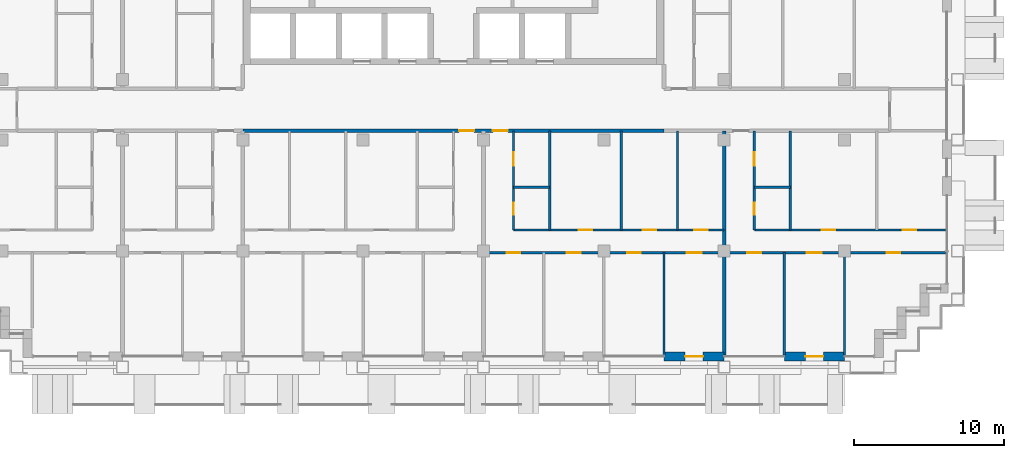
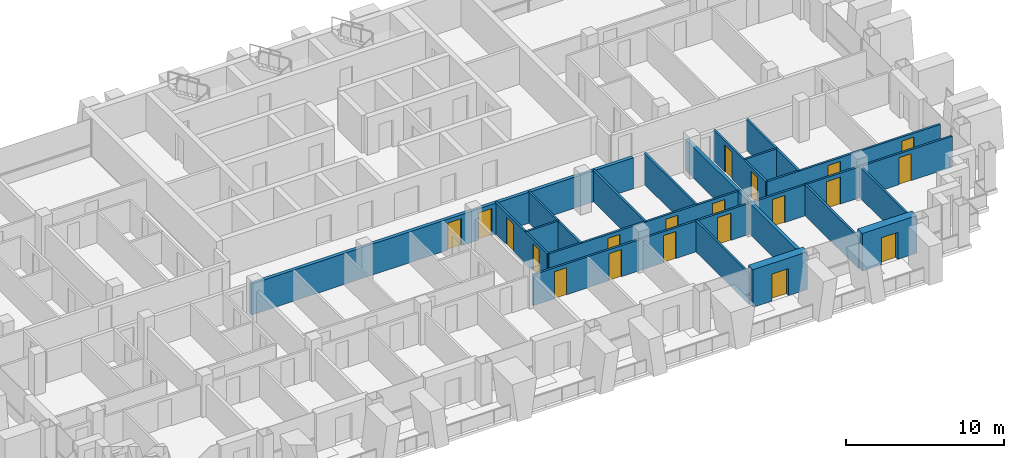
# One storey, part 10 of 17: 20 doors, 19 walls, 20 openings.
"""IFC4 building model written with IfcOpenShell, lengths in metres."""

from ifc_helpers import new_model, si_unit, direction, frame, frame_2d, origin, place, context, subcontext, project, spatial, rectangle, extrude, material, layer, layer_set, type_object, element, fill, save


model = new_model("IFC4")

# Units and contexts
model_context = context("Model", 3, precision=1e-05, world=origin(), true_north=direction((0.0, 1.0)))
body_context = subcontext(model_context, "Body", "Model", "MODEL_VIEW")
ifc_project = project(units=[si_unit("LENGTHUNIT", "METRE"), si_unit("AREAUNIT", "SQUARE_METRE"), si_unit("VOLUMEUNIT", "CUBIC_METRE"), si_unit("PLANEANGLEUNIT", "RADIAN"), si_unit("MASSUNIT", "GRAM", prefix="KILO")], contexts=[model_context])

# Site, building, storey
site_placement = place(None, origin())
site = spatial("IfcSite", under=ifc_project, at=site_placement, CompositionType="ELEMENT")
building_placement = place(site_placement, origin())
building = spatial("IfcBuilding", under=site, at=building_placement, Name="Vidyagriha Tower", CompositionType="ELEMENT")
storey_placement = place(building_placement, frame((0.0, 0.0, 119.800048828125)))
storey = spatial("IfcBuildingStorey", under=building, at=storey_placement, Name="L30", CompositionType="ELEMENT", Elevation=119.800048828125)

# Wall, opening, door
ifc_material_1 = material(Name="Precast concrete C40/50 with brick facing", Category="concrete")
ifc_layer_1 = layer(ifc_material_1, 0.60009765625)
ifc_layer_set_1 = layer_set([ifc_layer_1], Name="Precast concrete C40/50 with brick facing")
wall_type_1 = type_object("IfcWallType", Name="Brick-faced precast wall 600", PredefinedType="STANDARD", material=ifc_layer_set_1)
wall_1_placement = place(storey_placement, frame((14.0, -16.39990234375, 0.0)))
wall_1 = element("IfcWall", 1, at=wall_1_placement, inside=storey, type_object=wall_type_1, Name="Brick door bay wall L30 R23.12", PredefinedType="STANDARD", context=body_context, shape_type="SweptSolid", body=[
    extrude(rectangle(XDim=4.0, YDim=0.60009765625, at=frame_2d((2.0, 0.0))), origin(), (0.0, 0.0, 1.0), 2.919921875),
])
opening_1_placement = place(wall_1_placement, frame((1.39990234375, 0.0, 0.0)))
opening_1 = element("IfcOpeningElement", 2, at=opening_1_placement, cuts=wall_1, Name="Opening D30-81", PredefinedType="OPENING", context=body_context, shape_type="SweptSolid", body=[
    extrude(rectangle(XDim=1.199951171875, YDim=2.10009765625, at=frame_2d((0.60009765625, 1.050048828125))), frame((0.0, 0.31005859375, 0.0), z_axis=(0.0, -1.0, 0.0), x_axis=(1.0, 0.0, 0.0)), (0.0, 0.0, 1.0), 0.6201171875),
])
ifc_material_2 = material(Name="Aluminium framed glazed sliding door", Category="aluminium")
door_type_1 = type_object("IfcDoorType", Name="Balcony sliding door 1200x2100", OperationType="NOTDEFINED", PredefinedType="DOOR", material=ifc_material_2)
door_1_placement = place(opening_1_placement, origin())
door_1 = element("IfcDoor", 3, at=door_1_placement, inside=storey, type_object=door_type_1, Name="Door D30-81", OperationType="SLIDING_TO_LEFT", OverallHeight=2.10009765625, OverallWidth=1.199951171875, PredefinedType="DOOR", context=body_context, shape_type="SweptSolid", body=[
    extrude(rectangle(XDim=1.199951171875, YDim=2.10009765625, at=frame_2d((0.60009765625, 1.050048828125))), frame((0.0, 0.02490234375, 0.0), z_axis=(0.0, -1.0, 0.0), x_axis=(1.0, 0.0, 0.0)), (0.0, 0.0, 1.0), 0.050048828125),
])
fill(opening_1, door_1)

wall_2_placement = place(storey_placement, frame((22.0, -16.39990234375, 0.0)))
wall_2 = element("IfcWall", 4, at=wall_2_placement, inside=storey, type_object=wall_type_1, Name="Brick door bay wall L30 R23.14", PredefinedType="STANDARD", context=body_context, shape_type="SweptSolid", body=[
    extrude(rectangle(XDim=4.0, YDim=0.60009765625, at=frame_2d((2.0, 0.0))), origin(), (0.0, 0.0, 1.0), 2.919921875),
])
opening_2_placement = place(wall_2_placement, frame((1.39990234375, 0.0, 0.0)))
opening_2 = element("IfcOpeningElement", 5, at=opening_2_placement, cuts=wall_2, Name="Opening D30-82", PredefinedType="OPENING", context=body_context, shape_type="SweptSolid", body=[
    extrude(rectangle(XDim=1.199951171875, YDim=2.10009765625, at=frame_2d((0.60009765625, 1.050048828125))), frame((0.0, 0.31005859375, 0.0), z_axis=(0.0, -1.0, 0.0), x_axis=(1.0, 0.0, 0.0)), (0.0, 0.0, 1.0), 0.6201171875),
])
door_2_placement = place(opening_2_placement, origin())
door_2 = element("IfcDoor", 6, at=door_2_placement, inside=storey, type_object=door_type_1, Name="Door D30-82", OperationType="SLIDING_TO_LEFT", OverallHeight=2.10009765625, OverallWidth=1.199951171875, PredefinedType="DOOR", context=body_context, shape_type="SweptSolid", body=[
    extrude(rectangle(XDim=1.199951171875, YDim=2.10009765625, at=frame_2d((0.60009765625, 1.050048828125))), frame((0.0, 0.02490234375, 0.0), z_axis=(0.0, -1.0, 0.0), x_axis=(1.0, 0.0, 0.0)), (0.0, 0.0, 1.0), 0.050048828125),
])
fill(opening_2, door_2)

# Wall, openings, doors
ifc_material_3 = material(Name="Fired clay brick masonry", Category="masonry")
ifc_layer_2 = layer(ifc_material_3, 0.25)
ifc_layer_set_2 = layer_set([ifc_layer_2], Name="Fired clay brick masonry")
wall_type_2 = type_object("IfcWallType", Name="Fired clay brick corridor wall 250", PredefinedType="PARTITIONING", material=ifc_layer_set_2)
wall_3_placement = place(storey_placement, frame((14.0, -1.39990234375, 0.0), z_axis=(0.0, 0.0, 1.0), x_axis=(-1.0, 0.0, 0.0)))
wall_3 = element("IfcWall", 7, at=wall_3_placement, inside=storey, type_object=wall_type_2, Name="Wall all-L30-w136", PredefinedType="PARTITIONING", context=body_context, shape_type="SweptSolid", body=[
    extrude(rectangle(XDim=28.0, YDim=0.25, at=frame_2d((14.0, 0.0))), origin(), (0.0, 0.0, 1.0), 2.39990234375),
])
opening_3_placement = place(wall_3_placement, frame((12.617919921875, 0.0, 0.0)))
opening_3 = element("IfcOpeningElement", 8, at=opening_3_placement, cuts=wall_3, Name="Opening D30-34", PredefinedType="OPENING", context=body_context, shape_type="SweptSolid", body=[
    extrude(rectangle(XDim=1.0, YDim=2.10009765625, at=frame_2d((0.5, 1.050048828125))), frame((0.0, 0.135009765625, 0.0), z_axis=(0.0, -1.0, 0.0), x_axis=(1.0, 0.0, 0.0)), (0.0, 0.0, 1.0), 0.27001953125),
])
opening_4_placement = place(wall_3_placement, frame((10.382080078125, 0.0, 0.0)))
opening_4 = element("IfcOpeningElement", 9, at=opening_4_placement, cuts=wall_3, Name="Opening D30-44", PredefinedType="OPENING", context=body_context, shape_type="SweptSolid", body=[
    extrude(rectangle(XDim=1.0, YDim=2.10009765625, at=frame_2d((0.5, 1.050048828125))), frame((0.0, 0.135009765625, 0.0), z_axis=(0.0, -1.0, 0.0), x_axis=(1.0, 0.0, 0.0)), (0.0, 0.0, 1.0), 0.27001953125),
])
ifc_material_4 = material(Name="Fire-rated timber door leaf EI 60", Category="wood")
door_type_2 = type_object("IfcDoorType", Name="Flat entrance fire door 1000x2100", OperationType="NOTDEFINED", PredefinedType="DOOR", material=ifc_material_4)
door_3_placement = place(opening_3_placement, origin())
door_3 = element("IfcDoor", 10, at=door_3_placement, inside=storey, type_object=door_type_2, Name="Door D30-34", OperationType="SINGLE_SWING_LEFT", OverallHeight=2.10009765625, OverallWidth=1.0, PredefinedType="DOOR", context=body_context, shape_type="SweptSolid", body=[
    extrude(rectangle(XDim=1.0, YDim=2.10009765625, at=frame_2d((0.5, 1.050048828125))), frame((0.0, 0.02490234375, 0.0), z_axis=(0.0, -1.0, 0.0), x_axis=(1.0, 0.0, 0.0)), (0.0, 0.0, 1.0), 0.050048828125),
])
fill(opening_3, door_3)
door_4_placement = place(opening_4_placement, origin())
door_4 = element("IfcDoor", 11, at=door_4_placement, inside=storey, type_object=door_type_2, Name="Door D30-44", OperationType="SINGLE_SWING_RIGHT", OverallHeight=2.10009765625, OverallWidth=1.0, PredefinedType="DOOR", context=body_context, shape_type="SweptSolid", body=[
    extrude(rectangle(XDim=1.0, YDim=2.10009765625, at=frame_2d((0.5, 1.050048828125))), frame((0.0, 0.02490234375, 0.0), z_axis=(0.0, -1.0, 0.0), x_axis=(1.0, 0.0, 0.0)), (0.0, 0.0, 1.0), 0.050048828125),
])
fill(opening_4, door_4)

# Walls
ifc_material_5 = material(Name="Fired clay brick masonry", Category="masonry")
ifc_layer_3 = layer(ifc_material_5, 0.25)
ifc_layer_set_3 = layer_set([ifc_layer_3], Name="Fired clay brick masonry")
wall_type_3 = type_object("IfcWallType", Name="Fired clay brick demising wall 250", PredefinedType="PARTITIONING", material=ifc_layer_set_3)
wall_4_placement = place(storey_placement, frame((18.0, -1.39990234375, 0.0), z_axis=(0.0, 0.0, 1.0), x_axis=(0.0, -1.0, 0.0)))
element("IfcWall", 12, at=wall_4_placement, inside=storey, type_object=wall_type_3, Name="Wall all-L30-w084", PredefinedType="PARTITIONING", context=body_context, shape_type="SweptSolid", body=[
    extrude(rectangle(XDim=14.91015625, YDim=0.25, at=frame_2d((7.455078125, 0.0))), origin(), (0.0, 0.0, 1.0), 2.39990234375),
])
ifc_material_6 = material(Name="Gypsum board partition")
ifc_layer_4 = layer(ifc_material_6, 0.14990234375)
ifc_layer_set_4 = layer_set([ifc_layer_4], Name="Gypsum board partition")
wall_type_4 = type_object("IfcWallType", Name="Gypsum board partition 150", PredefinedType="PARTITIONING", material=ifc_layer_set_4)
wall_5_placement = place(storey_placement, frame((6.39990234375, -5.14990234375, 0.0), z_axis=(0.0, 0.0, 1.0), x_axis=(-1.0, 0.0, 0.0)))
element("IfcWall", 13, at=wall_5_placement, inside=storey, type_object=wall_type_4, Name="Wall all-L30-w050", PredefinedType="PARTITIONING", context=body_context, shape_type="SweptSolid", body=[
    extrude(rectangle(XDim=2.39990234375, YDim=0.14990234375, at=frame_2d((1.199951171875, 0.0))), origin(), (0.0, 0.0, 1.0), 2.39990234375),
])
for number, where, z_axis, x_axis, name in (
    (14, (6.39990234375, -1.39990234375, 0.0), (0.0, 0.0, 1.0), (0.0, -1.0, 0.0), "Wall all-L30-w051"),
    (15, (11.14990234375, -1.39990234375, 0.0), (0.0, 0.0, 1.0), (0.0, -1.0, 0.0), "Wall all-L30-w052"),
    (16, (14.89990234375, -1.39990234375, 0.0), (0.0, 0.0, 1.0), (0.0, -1.0, 0.0), "Wall all-L30-w053"),
):
    element("IfcWall", number, at=place(storey_placement, frame(where, z_axis=z_axis, x_axis=x_axis)), inside=storey, type_object=wall_type_4, Name=name, PredefinedType="PARTITIONING", context=body_context, shape_type="SweptSolid", body=[
        extrude(rectangle(XDim=6.60009765625, YDim=0.14990234375, at=frame_2d((3.300048828125, 0.0))), origin(), (0.0, 0.0, 1.0), 2.39990234375),
    ])

# Wall, openings, doors
wall_6_placement = place(storey_placement, frame((4.0, -8.0, 0.0)))
wall_6 = element("IfcWall", 17, at=wall_6_placement, inside=storey, type_object=wall_type_4, Name="Wall all-L30-w054", PredefinedType="PARTITIONING", context=body_context, shape_type="SweptSolid", body=[
    extrude(rectangle(XDim=14.0, YDim=0.14990234375, at=frame_2d((7.0, 0.0))), origin(), (0.0, 0.0, 1.0), 2.39990234375),
])
opening_5_placement = place(wall_6_placement, frame((4.324951171875, 0.0, 0.0)))
opening_5 = element("IfcOpeningElement", 18, at=opening_5_placement, cuts=wall_6, Name="Opening D30-37", PredefinedType="OPENING", context=body_context, shape_type="SweptSolid", body=[
    extrude(rectangle(XDim=0.89990234375, YDim=2.10009765625, at=frame_2d((0.449951171875, 1.050048828125))), frame((0.0, 0.0849609375, 0.0), z_axis=(0.0, -1.0, 0.0), x_axis=(1.0, 0.0, 0.0)), (0.0, 0.0, 1.0), 0.169921875),
])
opening_6_placement = place(wall_6_placement, frame((8.574951171875, 0.0, 0.0)))
opening_6 = element("IfcOpeningElement", 19, at=opening_6_placement, cuts=wall_6, Name="Opening D30-38", PredefinedType="OPENING", context=body_context, shape_type="SweptSolid", body=[
    extrude(rectangle(XDim=0.89990234375, YDim=2.10009765625, at=frame_2d((0.449951171875, 1.050048828125))), frame((0.0, 0.0849609375, 0.0), z_axis=(0.0, -1.0, 0.0), x_axis=(1.0, 0.0, 0.0)), (0.0, 0.0, 1.0), 0.169921875),
])
opening_7_placement = place(wall_6_placement, frame((12.0, 0.0, 0.0)))
opening_7 = element("IfcOpeningElement", 20, at=opening_7_placement, cuts=wall_6, Name="Opening D30-39", PredefinedType="OPENING", context=body_context, shape_type="SweptSolid", body=[
    extrude(rectangle(XDim=0.89990234375, YDim=2.10009765625, at=frame_2d((0.449951171875, 1.050048828125))), frame((0.0, 0.0849609375, 0.0), z_axis=(0.0, -1.0, 0.0), x_axis=(1.0, 0.0, 0.0)), (0.0, 0.0, 1.0), 0.169921875),
])
ifc_material_7 = material(Name="Timber door leaf", Category="wood")
door_type_3 = type_object("IfcDoorType", Name="Room door 900x2100", OperationType="NOTDEFINED", PredefinedType="DOOR", material=ifc_material_7)
door_5_placement = place(opening_5_placement, origin())
door_5 = element("IfcDoor", 21, at=door_5_placement, inside=storey, type_object=door_type_3, Name="Door D30-37", OperationType="SINGLE_SWING_RIGHT", OverallHeight=2.10009765625, OverallWidth=0.89990234375, PredefinedType="DOOR", context=body_context, shape_type="SweptSolid", body=[
    extrude(rectangle(XDim=0.89990234375, YDim=2.10009765625, at=frame_2d((0.449951171875, 1.050048828125))), frame((0.0, 0.02490234375, 0.0), z_axis=(0.0, -1.0, 0.0), x_axis=(1.0, 0.0, 0.0)), (0.0, 0.0, 1.0), 0.050048828125),
])
fill(opening_5, door_5)
door_6_placement = place(opening_6_placement, origin())
door_6 = element("IfcDoor", 22, at=door_6_placement, inside=storey, type_object=door_type_3, Name="Door D30-38", OperationType="SINGLE_SWING_RIGHT", OverallHeight=2.10009765625, OverallWidth=0.89990234375, PredefinedType="DOOR", context=body_context, shape_type="SweptSolid", body=[
    extrude(rectangle(XDim=0.89990234375, YDim=2.10009765625, at=frame_2d((0.449951171875, 1.050048828125))), frame((0.0, 0.02490234375, 0.0), z_axis=(0.0, -1.0, 0.0), x_axis=(1.0, 0.0, 0.0)), (0.0, 0.0, 1.0), 0.050048828125),
])
fill(opening_6, door_6)
door_7_placement = place(opening_7_placement, origin())
door_7 = element("IfcDoor", 23, at=door_7_placement, inside=storey, type_object=door_type_3, Name="Door D30-39", OperationType="SINGLE_SWING_LEFT", OverallHeight=2.10009765625, OverallWidth=0.89990234375, PredefinedType="DOOR", context=body_context, shape_type="SweptSolid", body=[
    extrude(rectangle(XDim=0.89990234375, YDim=2.10009765625, at=frame_2d((0.449951171875, 1.050048828125))), frame((0.0, 0.02490234375, 0.0), z_axis=(0.0, -1.0, 0.0), x_axis=(1.0, 0.0, 0.0)), (0.0, 0.0, 1.0), 0.050048828125),
])
fill(opening_7, door_7)

wall_7_placement = place(storey_placement, frame((18.0, -9.5, 0.0), z_axis=(0.0, 0.0, 1.0), x_axis=(-1.0, 0.0, 0.0)))
wall_7 = element("IfcWall", 24, at=wall_7_placement, inside=storey, type_object=wall_type_4, Name="Wall all-L30-w058", PredefinedType="PARTITIONING", context=body_context, shape_type="SweptSolid", body=[
    extrude(rectangle(XDim=16.0, YDim=0.14990234375, at=frame_2d((8.0, 0.0))), origin(), (0.0, 0.0, 1.0), 2.39990234375),
])
opening_8_placement = place(wall_7_placement, frame((13.550048828125, 0.0, 0.0)))
opening_8 = element("IfcOpeningElement", 25, at=opening_8_placement, cuts=wall_7, Name="Opening D30-40", PredefinedType="OPENING", context=body_context, shape_type="SweptSolid", body=[
    extrude(rectangle(XDim=0.89990234375, YDim=2.10009765625, at=frame_2d((0.449951171875, 1.050048828125))), frame((0.0, 0.0849609375, 0.0), z_axis=(0.0, -1.0, 0.0), x_axis=(1.0, 0.0, 0.0)), (0.0, 0.0, 1.0), 0.169921875),
])
opening_9_placement = place(wall_7_placement, frame((9.550048828125, 0.0, 0.0)))
opening_9 = element("IfcOpeningElement", 26, at=opening_9_placement, cuts=wall_7, Name="Opening D30-41", PredefinedType="OPENING", context=body_context, shape_type="SweptSolid", body=[
    extrude(rectangle(XDim=0.89990234375, YDim=2.10009765625, at=frame_2d((0.449951171875, 1.050048828125))), frame((0.0, 0.0849609375, 0.0), z_axis=(0.0, -1.0, 0.0), x_axis=(1.0, 0.0, 0.0)), (0.0, 0.0, 1.0), 0.169921875),
])
opening_10_placement = place(wall_7_placement, frame((5.550048828125, 0.0, 0.0)))
opening_10 = element("IfcOpeningElement", 27, at=opening_10_placement, cuts=wall_7, Name="Opening D30-42", PredefinedType="OPENING", context=body_context, shape_type="SweptSolid", body=[
    extrude(rectangle(XDim=0.89990234375, YDim=2.10009765625, at=frame_2d((0.449951171875, 1.050048828125))), frame((0.0, 0.0849609375, 0.0), z_axis=(0.0, -1.0, 0.0), x_axis=(1.0, 0.0, 0.0)), (0.0, 0.0, 1.0), 0.169921875),
])
opening_11_placement = place(wall_7_placement, frame((1.5, 0.0, 0.0)))
opening_11 = element("IfcOpeningElement", 28, at=opening_11_placement, cuts=wall_7, Name="Opening D30-43", PredefinedType="OPENING", context=body_context, shape_type="SweptSolid", body=[
    extrude(rectangle(XDim=1.0, YDim=2.10009765625, at=frame_2d((0.5, 1.050048828125))), frame((0.0, 0.0849609375, 0.0), z_axis=(0.0, -1.0, 0.0), x_axis=(1.0, 0.0, 0.0)), (0.0, 0.0, 1.0), 0.169921875),
])
ifc_material_8 = material(Name="Timber door leaf", Category="wood")
door_type_4 = type_object("IfcDoorType", Name="Room door 1000x2100", OperationType="NOTDEFINED", PredefinedType="DOOR", material=ifc_material_8)
door_8_placement = place(opening_11_placement, origin())
door_8 = element("IfcDoor", 29, at=door_8_placement, inside=storey, type_object=door_type_4, Name="Door D30-43", OperationType="SINGLE_SWING_RIGHT", OverallHeight=2.10009765625, OverallWidth=1.0, PredefinedType="DOOR", context=body_context, shape_type="SweptSolid", body=[
    extrude(rectangle(XDim=1.0, YDim=2.10009765625, at=frame_2d((0.5, 1.050048828125))), frame((0.0, 0.02490234375, 0.0), z_axis=(0.0, -1.0, 0.0), x_axis=(1.0, 0.0, 0.0)), (0.0, 0.0, 1.0), 0.050048828125),
])
fill(opening_11, door_8)
door_9_placement = place(opening_8_placement, origin())
door_9 = element("IfcDoor", 30, at=door_9_placement, inside=storey, type_object=door_type_3, Name="Door D30-40", OperationType="SINGLE_SWING_RIGHT", OverallHeight=2.10009765625, OverallWidth=0.89990234375, PredefinedType="DOOR", context=body_context, shape_type="SweptSolid", body=[
    extrude(rectangle(XDim=0.89990234375, YDim=2.10009765625, at=frame_2d((0.449951171875, 1.050048828125))), frame((0.0, 0.02490234375, 0.0), z_axis=(0.0, -1.0, 0.0), x_axis=(1.0, 0.0, 0.0)), (0.0, 0.0, 1.0), 0.050048828125),
])
fill(opening_8, door_9)
door_10_placement = place(opening_9_placement, origin())
door_10 = element("IfcDoor", 31, at=door_10_placement, inside=storey, type_object=door_type_3, Name="Door D30-41", OperationType="SINGLE_SWING_RIGHT", OverallHeight=2.10009765625, OverallWidth=0.89990234375, PredefinedType="DOOR", context=body_context, shape_type="SweptSolid", body=[
    extrude(rectangle(XDim=0.89990234375, YDim=2.10009765625, at=frame_2d((0.449951171875, 1.050048828125))), frame((0.0, 0.02490234375, 0.0), z_axis=(0.0, -1.0, 0.0), x_axis=(1.0, 0.0, 0.0)), (0.0, 0.0, 1.0), 0.050048828125),
])
fill(opening_9, door_10)
door_11_placement = place(opening_10_placement, origin())
door_11 = element("IfcDoor", 32, at=door_11_placement, inside=storey, type_object=door_type_3, Name="Door D30-42", OperationType="SINGLE_SWING_RIGHT", OverallHeight=2.10009765625, OverallWidth=0.89990234375, PredefinedType="DOOR", context=body_context, shape_type="SweptSolid", body=[
    extrude(rectangle(XDim=0.89990234375, YDim=2.10009765625, at=frame_2d((0.449951171875, 1.050048828125))), frame((0.0, 0.02490234375, 0.0), z_axis=(0.0, -1.0, 0.0), x_axis=(1.0, 0.0, 0.0)), (0.0, 0.0, 1.0), 0.050048828125),
])
fill(opening_10, door_11)

# Walls
wall_8_placement = place(storey_placement, frame((14.0, -9.5, 0.0), z_axis=(0.0, 0.0, 1.0), x_axis=(0.0, -1.0, 0.0)))
element("IfcWall", 33, at=wall_8_placement, inside=storey, type_object=wall_type_4, Name="Wall all-L30-w065", PredefinedType="PARTITIONING", context=body_context, shape_type="SweptSolid", body=[
    extrude(rectangle(XDim=6.821044921875, YDim=0.14990234375, at=frame_2d((3.41064453125, 0.0))), origin(), (0.0, 0.0, 1.0), 2.39990234375),
])
wall_9_placement = place(storey_placement, frame((22.39990234375, -5.14990234375, 0.0), z_axis=(0.0, 0.0, 1.0), x_axis=(-1.0, 0.0, 0.0)))
element("IfcWall", 34, at=wall_9_placement, inside=storey, type_object=wall_type_4, Name="Wall all-L30-w071", PredefinedType="PARTITIONING", context=body_context, shape_type="SweptSolid", body=[
    extrude(rectangle(XDim=2.39990234375, YDim=0.14990234375, at=frame_2d((1.199951171875, 0.0))), origin(), (0.0, 0.0, 1.0), 2.39990234375),
])
wall_10_placement = place(storey_placement, frame((22.39990234375, -1.39990234375, 0.0), z_axis=(0.0, 0.0, 1.0), x_axis=(0.0, -1.0, 0.0)))
element("IfcWall", 35, at=wall_10_placement, inside=storey, type_object=wall_type_4, Name="Wall all-L30-w072", PredefinedType="PARTITIONING", context=body_context, shape_type="SweptSolid", body=[
    extrude(rectangle(XDim=6.60009765625, YDim=0.14990234375, at=frame_2d((3.300048828125, 0.0))), origin(), (0.0, 0.0, 1.0), 2.39990234375),
])

# Wall, openings, doors
wall_11_placement = place(storey_placement, frame((20.0, -8.0, 0.0)))
wall_11 = element("IfcWall", 36, at=wall_11_placement, inside=storey, type_object=wall_type_4, Name="Wall all-L30-w074", PredefinedType="PARTITIONING", context=body_context, shape_type="SweptSolid", body=[
    extrude(rectangle(XDim=12.719970703125, YDim=0.14990234375, at=frame_2d((6.35986328125, 0.0))), origin(), (0.0, 0.0, 1.0), 2.39990234375),
])
opening_12_placement = place(wall_11_placement, frame((4.48193359375, 0.0, 0.0)))
opening_12 = element("IfcOpeningElement", 37, at=opening_12_placement, cuts=wall_11, Name="Opening D30-47", PredefinedType="OPENING", context=body_context, shape_type="SweptSolid", body=[
    extrude(rectangle(XDim=0.89990234375, YDim=2.10009765625, at=frame_2d((0.449951171875, 1.050048828125))), frame((0.0, 0.0849609375, 0.0), z_axis=(0.0, -1.0, 0.0), x_axis=(1.0, 0.0, 0.0)), (0.0, 0.0, 1.0), 0.169921875),
])
opening_13_placement = place(wall_11_placement, frame((9.875, 0.0, 0.0)))
opening_13 = element("IfcOpeningElement", 38, at=opening_13_placement, cuts=wall_11, Name="Opening D30-48", PredefinedType="OPENING", context=body_context, shape_type="SweptSolid", body=[
    extrude(rectangle(XDim=0.89990234375, YDim=2.10009765625, at=frame_2d((0.449951171875, 1.050048828125))), frame((0.0, 0.0849609375, 0.0), z_axis=(0.0, -1.0, 0.0), x_axis=(1.0, 0.0, 0.0)), (0.0, 0.0, 1.0), 0.169921875),
])
door_12_placement = place(opening_12_placement, origin())
door_12 = element("IfcDoor", 39, at=door_12_placement, inside=storey, type_object=door_type_3, Name="Door D30-47", OperationType="SINGLE_SWING_LEFT", OverallHeight=2.10009765625, OverallWidth=0.89990234375, PredefinedType="DOOR", context=body_context, shape_type="SweptSolid", body=[
    extrude(rectangle(XDim=0.89990234375, YDim=2.10009765625, at=frame_2d((0.449951171875, 1.050048828125))), frame((0.0, 0.02490234375, 0.0), z_axis=(0.0, -1.0, 0.0), x_axis=(1.0, 0.0, 0.0)), (0.0, 0.0, 1.0), 0.050048828125),
])
fill(opening_12, door_12)
door_13_placement = place(opening_13_placement, origin())
door_13 = element("IfcDoor", 40, at=door_13_placement, inside=storey, type_object=door_type_3, Name="Door D30-48", OperationType="SINGLE_SWING_RIGHT", OverallHeight=2.10009765625, OverallWidth=0.89990234375, PredefinedType="DOOR", context=body_context, shape_type="SweptSolid", body=[
    extrude(rectangle(XDim=0.89990234375, YDim=2.10009765625, at=frame_2d((0.449951171875, 1.050048828125))), frame((0.0, 0.02490234375, 0.0), z_axis=(0.0, -1.0, 0.0), x_axis=(1.0, 0.0, 0.0)), (0.0, 0.0, 1.0), 0.050048828125),
])
fill(opening_13, door_13)

wall_12_placement = place(storey_placement, frame((32.719970703125, -9.5, 0.0), z_axis=(0.0, 0.0, 1.0), x_axis=(-1.0, 0.0, 0.0)))
wall_12 = element("IfcWall", 41, at=wall_12_placement, inside=storey, type_object=wall_type_4, Name="Wall all-L30-w077", PredefinedType="PARTITIONING", context=body_context, shape_type="SweptSolid", body=[
    extrude(rectangle(XDim=14.719970703125, YDim=0.14990234375, at=frame_2d((7.35986328125, 0.0))), origin(), (0.0, 0.0, 1.0), 2.39990234375),
])
opening_14_placement = place(wall_12_placement, frame((12.27001953125, 0.0, 0.0)))
opening_14 = element("IfcOpeningElement", 42, at=opening_14_placement, cuts=wall_12, Name="Opening D30-49", PredefinedType="OPENING", context=body_context, shape_type="SweptSolid", body=[
    extrude(rectangle(XDim=0.89990234375, YDim=2.10009765625, at=frame_2d((0.449951171875, 1.050048828125))), frame((0.0, 0.0849609375, 0.0), z_axis=(0.0, -1.0, 0.0), x_axis=(1.0, 0.0, 0.0)), (0.0, 0.0, 1.0), 0.169921875),
])
opening_15_placement = place(wall_12_placement, frame((8.219970703125, 0.0, 0.0)))
opening_15 = element("IfcOpeningElement", 43, at=opening_15_placement, cuts=wall_12, Name="Opening D30-50", PredefinedType="OPENING", context=body_context, shape_type="SweptSolid", body=[
    extrude(rectangle(XDim=1.0, YDim=2.10009765625, at=frame_2d((0.5, 1.050048828125))), frame((0.0, 0.0849609375, 0.0), z_axis=(0.0, -1.0, 0.0), x_axis=(1.0, 0.0, 0.0)), (0.0, 0.0, 1.0), 0.169921875),
])
opening_16_placement = place(wall_12_placement, frame((3.02001953125, 0.0, 0.0)))
opening_16 = element("IfcOpeningElement", 44, at=opening_16_placement, cuts=wall_12, Name="Opening D30-51", PredefinedType="OPENING", context=body_context, shape_type="SweptSolid", body=[
    extrude(rectangle(XDim=0.89990234375, YDim=2.10009765625, at=frame_2d((0.449951171875, 1.050048828125))), frame((0.0, 0.0849609375, 0.0), z_axis=(0.0, -1.0, 0.0), x_axis=(1.0, 0.0, 0.0)), (0.0, 0.0, 1.0), 0.169921875),
])
door_14_placement = place(opening_15_placement, origin())
door_14 = element("IfcDoor", 45, at=door_14_placement, inside=storey, type_object=door_type_4, Name="Door D30-50", OperationType="SINGLE_SWING_RIGHT", OverallHeight=2.10009765625, OverallWidth=1.0, PredefinedType="DOOR", context=body_context, shape_type="SweptSolid", body=[
    extrude(rectangle(XDim=1.0, YDim=2.10009765625, at=frame_2d((0.5, 1.050048828125))), frame((0.0, 0.02490234375, 0.0), z_axis=(0.0, -1.0, 0.0), x_axis=(1.0, 0.0, 0.0)), (0.0, 0.0, 1.0), 0.050048828125),
])
fill(opening_15, door_14)
door_15_placement = place(opening_14_placement, origin())
door_15 = element("IfcDoor", 46, at=door_15_placement, inside=storey, type_object=door_type_3, Name="Door D30-49", OperationType="SINGLE_SWING_RIGHT", OverallHeight=2.10009765625, OverallWidth=0.89990234375, PredefinedType="DOOR", context=body_context, shape_type="SweptSolid", body=[
    extrude(rectangle(XDim=0.89990234375, YDim=2.10009765625, at=frame_2d((0.449951171875, 1.050048828125))), frame((0.0, 0.02490234375, 0.0), z_axis=(0.0, -1.0, 0.0), x_axis=(1.0, 0.0, 0.0)), (0.0, 0.0, 1.0), 0.050048828125),
])
fill(opening_14, door_15)
door_16_placement = place(opening_16_placement, origin())
door_16 = element("IfcDoor", 47, at=door_16_placement, inside=storey, type_object=door_type_3, Name="Door D30-51", OperationType="SINGLE_SWING_RIGHT", OverallHeight=2.10009765625, OverallWidth=0.89990234375, PredefinedType="DOOR", context=body_context, shape_type="SweptSolid", body=[
    extrude(rectangle(XDim=0.89990234375, YDim=2.10009765625, at=frame_2d((0.449951171875, 1.050048828125))), frame((0.0, 0.02490234375, 0.0), z_axis=(0.0, -1.0, 0.0), x_axis=(1.0, 0.0, 0.0)), (0.0, 0.0, 1.0), 0.050048828125),
])
fill(opening_16, door_16)

# Walls
wall_13_placement = place(storey_placement, frame((22.0, -9.5, 0.0), z_axis=(0.0, 0.0, 1.0), x_axis=(0.0, -1.0, 0.0)))
element("IfcWall", 48, at=wall_13_placement, inside=storey, type_object=wall_type_4, Name="Wall all-L30-w081", PredefinedType="PARTITIONING", context=body_context, shape_type="SweptSolid", body=[
    extrude(rectangle(XDim=6.821044921875, YDim=0.14990234375, at=frame_2d((3.41064453125, 0.0))), origin(), (0.0, 0.0, 1.0), 2.39990234375),
])
wall_14_placement = place(storey_placement, frame((26.0, -9.5, 0.0), z_axis=(0.0, 0.0, 1.0), x_axis=(0.0, -1.0, 0.0)))
element("IfcWall", 49, at=wall_14_placement, inside=storey, type_object=wall_type_4, Name="Wall all-L30-w082", PredefinedType="PARTITIONING", context=body_context, shape_type="SweptSolid", body=[
    extrude(rectangle(XDim=6.81005859375, YDim=0.14990234375, at=frame_2d((3.405029296875, 0.0))), origin(), (0.0, 0.0, 1.0), 2.39990234375),
])

# Wall, openings, doors
ifc_material_9 = material(Name="Moisture resistant gypsum board partition")
ifc_layer_5 = layer(ifc_material_9, 0.14990234375)
ifc_layer_set_5 = layer_set([ifc_layer_5], Name="Moisture resistant gypsum board partition")
wall_type_5 = type_object("IfcWallType", Name="Gypsum board wet-area partition 150", PredefinedType="PARTITIONING", material=ifc_layer_set_5)
wall_15_placement = place(storey_placement, frame((4.0, -1.39990234375, 0.0), z_axis=(0.0, 0.0, 1.0), x_axis=(0.0, -1.0, 0.0)))
wall_15 = element("IfcWall", 50, at=wall_15_placement, inside=storey, type_object=wall_type_5, Name="Wall all-L30-w047", PredefinedType="PARTITIONING", context=body_context, shape_type="SweptSolid", body=[
    extrude(rectangle(XDim=6.60009765625, YDim=0.14990234375, at=frame_2d((3.300048828125, 0.0))), origin(), (0.0, 0.0, 1.0), 2.39990234375),
])
opening_17_placement = place(wall_15_placement, frame((1.425048828125, 0.0, 0.0)))
opening_17 = element("IfcOpeningElement", 51, at=opening_17_placement, cuts=wall_15, Name="Opening D30-35", PredefinedType="OPENING", context=body_context, shape_type="SweptSolid", body=[
    extrude(rectangle(XDim=0.89990234375, YDim=2.10009765625, at=frame_2d((0.449951171875, 1.050048828125))), frame((0.0, 0.0849609375, 0.0), z_axis=(0.0, -1.0, 0.0), x_axis=(1.0, 0.0, 0.0)), (0.0, 0.0, 1.0), 0.169921875),
])
opening_18_placement = place(wall_15_placement, frame((4.77490234375, 0.0, 0.0)))
opening_18 = element("IfcOpeningElement", 52, at=opening_18_placement, cuts=wall_15, Name="Opening D30-36", PredefinedType="OPENING", context=body_context, shape_type="SweptSolid", body=[
    extrude(rectangle(XDim=0.800048828125, YDim=2.10009765625, at=frame_2d((0.39990234375, 1.050048828125))), frame((0.0, 0.0849609375, 0.0), z_axis=(0.0, -1.0, 0.0), x_axis=(1.0, 0.0, 0.0)), (0.0, 0.0, 1.0), 0.169921875),
])
ifc_material_10 = material(Name="Timber door leaf", Category="wood")
door_type_5 = type_object("IfcDoorType", Name="Bathroom door 800x2100", OperationType="NOTDEFINED", PredefinedType="DOOR", material=ifc_material_10)
door_17_placement = place(opening_18_placement, origin())
door_17 = element("IfcDoor", 53, at=door_17_placement, inside=storey, type_object=door_type_5, Name="Door D30-36", OperationType="SINGLE_SWING_RIGHT", OverallHeight=2.10009765625, OverallWidth=0.800048828125, PredefinedType="DOOR", context=body_context, shape_type="SweptSolid", body=[
    extrude(rectangle(XDim=0.800048828125, YDim=2.10009765625, at=frame_2d((0.39990234375, 1.050048828125))), frame((0.0, 0.02490234375, 0.0), z_axis=(0.0, -1.0, 0.0), x_axis=(1.0, 0.0, 0.0)), (0.0, 0.0, 1.0), 0.050048828125),
])
fill(opening_18, door_17)
ifc_material_11 = material(Name="Timber door leaf", Category="wood")
door_type_6 = type_object("IfcDoorType", Name="Kitchen door 900x2100", OperationType="NOTDEFINED", PredefinedType="DOOR", material=ifc_material_11)
door_18_placement = place(opening_17_placement, origin())
door_18 = element("IfcDoor", 54, at=door_18_placement, inside=storey, type_object=door_type_6, Name="Door D30-35", OperationType="SINGLE_SWING_LEFT", OverallHeight=2.10009765625, OverallWidth=0.89990234375, PredefinedType="DOOR", context=body_context, shape_type="SweptSolid", body=[
    extrude(rectangle(XDim=0.89990234375, YDim=2.10009765625, at=frame_2d((0.449951171875, 1.050048828125))), frame((0.0, 0.02490234375, 0.0), z_axis=(0.0, -1.0, 0.0), x_axis=(1.0, 0.0, 0.0)), (0.0, 0.0, 1.0), 0.050048828125),
])
fill(opening_17, door_18)

wall_16_placement = place(storey_placement, frame((20.0, -1.39990234375, 0.0), z_axis=(0.0, 0.0, 1.0), x_axis=(0.0, -1.0, 0.0)))
wall_16 = element("IfcWall", 55, at=wall_16_placement, inside=storey, type_object=wall_type_5, Name="Wall all-L30-w068", PredefinedType="PARTITIONING", context=body_context, shape_type="SweptSolid", body=[
    extrude(rectangle(XDim=6.60009765625, YDim=0.14990234375, at=frame_2d((3.300048828125, 0.0))), origin(), (0.0, 0.0, 1.0), 2.39990234375),
])
opening_19_placement = place(wall_16_placement, frame((1.425048828125, 0.0, 0.0)))
opening_19 = element("IfcOpeningElement", 56, at=opening_19_placement, cuts=wall_16, Name="Opening D30-45", PredefinedType="OPENING", context=body_context, shape_type="SweptSolid", body=[
    extrude(rectangle(XDim=0.89990234375, YDim=2.10009765625, at=frame_2d((0.449951171875, 1.050048828125))), frame((0.0, 0.0849609375, 0.0), z_axis=(0.0, -1.0, 0.0), x_axis=(1.0, 0.0, 0.0)), (0.0, 0.0, 1.0), 0.169921875),
])
opening_20_placement = place(wall_16_placement, frame((4.77490234375, 0.0, 0.0)))
opening_20 = element("IfcOpeningElement", 57, at=opening_20_placement, cuts=wall_16, Name="Opening D30-46", PredefinedType="OPENING", context=body_context, shape_type="SweptSolid", body=[
    extrude(rectangle(XDim=0.800048828125, YDim=2.10009765625, at=frame_2d((0.39990234375, 1.050048828125))), frame((0.0, 0.0849609375, 0.0), z_axis=(0.0, -1.0, 0.0), x_axis=(1.0, 0.0, 0.0)), (0.0, 0.0, 1.0), 0.169921875),
])
door_19_placement = place(opening_20_placement, origin())
door_19 = element("IfcDoor", 58, at=door_19_placement, inside=storey, type_object=door_type_5, Name="Door D30-46", OperationType="SINGLE_SWING_RIGHT", OverallHeight=2.10009765625, OverallWidth=0.800048828125, PredefinedType="DOOR", context=body_context, shape_type="SweptSolid", body=[
    extrude(rectangle(XDim=0.800048828125, YDim=2.10009765625, at=frame_2d((0.39990234375, 1.050048828125))), frame((0.0, 0.02490234375, 0.0), z_axis=(0.0, -1.0, 0.0), x_axis=(1.0, 0.0, 0.0)), (0.0, 0.0, 1.0), 0.050048828125),
])
fill(opening_20, door_19)
door_20_placement = place(opening_19_placement, origin())
door_20 = element("IfcDoor", 59, at=door_20_placement, inside=storey, type_object=door_type_6, Name="Door D30-45", OperationType="SINGLE_SWING_LEFT", OverallHeight=2.10009765625, OverallWidth=0.89990234375, PredefinedType="DOOR", context=body_context, shape_type="SweptSolid", body=[
    extrude(rectangle(XDim=0.89990234375, YDim=2.10009765625, at=frame_2d((0.449951171875, 1.050048828125))), frame((0.0, 0.02490234375, 0.0), z_axis=(0.0, -1.0, 0.0), x_axis=(1.0, 0.0, 0.0)), (0.0, 0.0, 1.0), 0.050048828125),
])
fill(opening_19, door_20)

save(model, "model.ifc")
